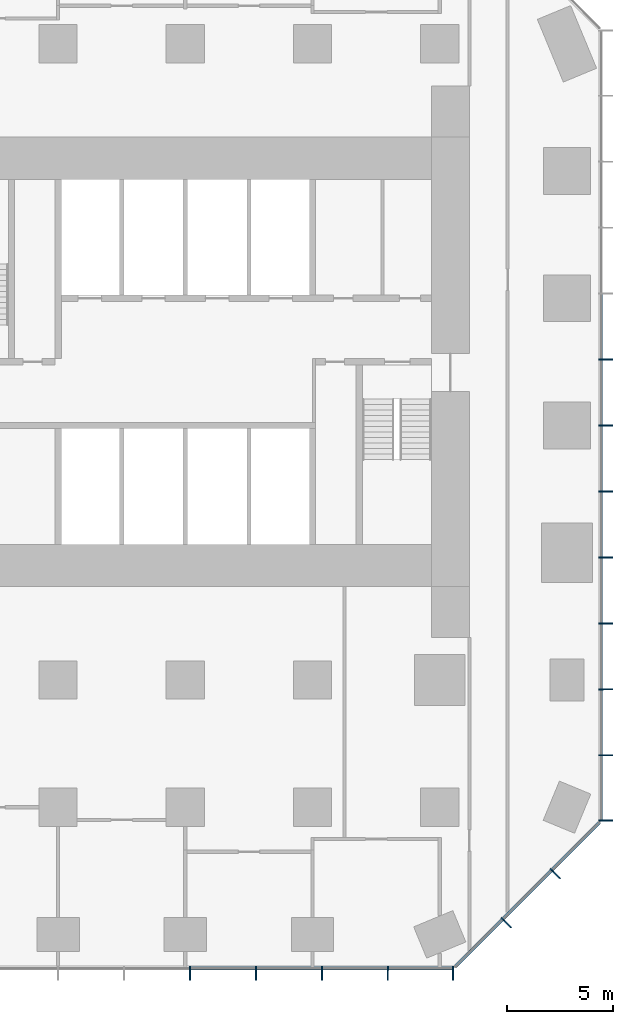
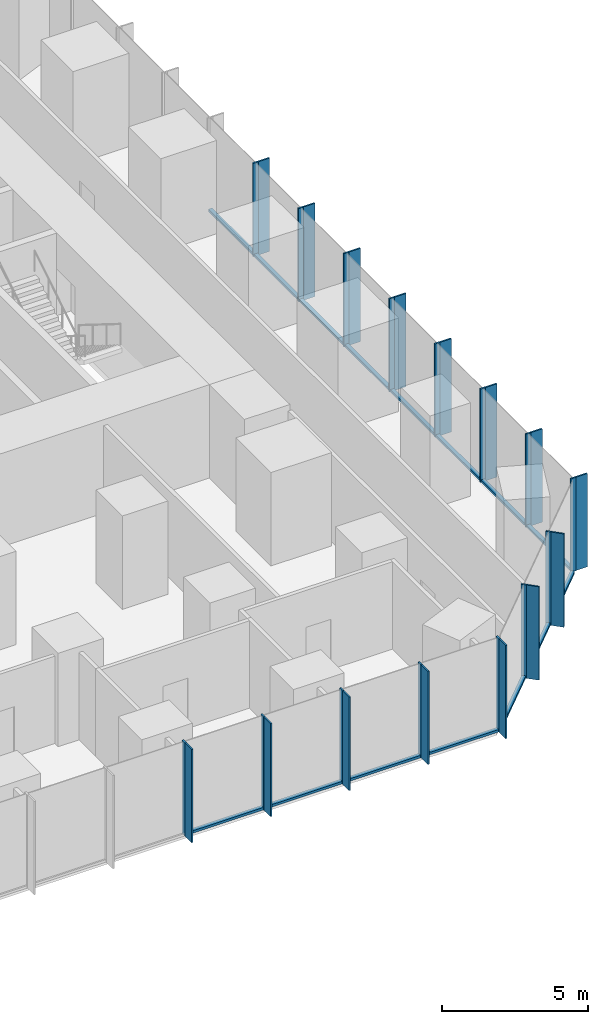
# One storey, part 4 of 11: 45 members, 3 elements without a shape of their own.
"""IFC4 building model written with IfcOpenShell, lengths in metres."""

from ifc_helpers import new_model, si_unit, direction, frame, origin, origin_2d, place, context, subcontext, project, spatial, rectangle, extrude, material, layer, layer_set, material_profile, profile_set, type_object, element, aggregate, save


model = new_model("IFC4")

# Units and contexts
model_context = context("Model", 3, precision=1e-05, world=origin(), true_north=direction((0.0, 1.0)))
body_context = subcontext(model_context, "Body", "Model", "MODEL_VIEW")
ifc_project = project(units=[si_unit("LENGTHUNIT", "METRE"), si_unit("AREAUNIT", "SQUARE_METRE"), si_unit("VOLUMEUNIT", "CUBIC_METRE"), si_unit("PLANEANGLEUNIT", "RADIAN"), si_unit("MASSUNIT", "GRAM", prefix="KILO")], contexts=[model_context])

# Site, building, storey
site_placement = place(None, origin())
site = spatial("IfcSite", under=ifc_project, at=site_placement, CompositionType="ELEMENT")
building_placement = place(site_placement, origin())
building = spatial("IfcBuilding", under=site, at=building_placement, Name="Highveld Stack Headquarters", CompositionType="ELEMENT")
storey_placement = place(building_placement, frame((0.0, 0.0, 33.800048828125)))
storey = spatial("IfcBuildingStorey", under=building, at=storey_placement, Name="L07", CompositionType="ELEMENT", Elevation=33.800048828125)

# Curtain wall, members
ifc_material_1 = material(Name="Aluminium bronze anodised", Category="aluminium")
ifc_layer_1 = layer(ifc_material_1, 0.199951171875)
ifc_layer_set_1 = layer_set([ifc_layer_1], Name="Aluminium bronze anodised")
curtain_wall_type_1 = type_object("IfcCurtainWallType", Name="CW1 TOWER UNITISED CURTAIN WALL", PredefinedType="NOTDEFINED", material=ifc_layer_set_1)
curtain_wall_1_placement = place(storey_placement, origin())
curtain_wall_1 = element("IfcCurtainWall", 1, at=curtain_wall_1_placement, inside=storey, type_object=curtain_wall_type_1, Name="Curtain wall CW1 L07 S", PredefinedType="NOTDEFINED")
ifc_material_2 = material(Name="Aluminium bronze anodised", Category="aluminium")
ifc_material_profile_1 = material_profile(ifc_material_2, rectangle(XDim=0.449951171875, YDim=0.06005859375, at=origin_2d()), Name="FIN 450x60")
ifc_profile_set_1 = profile_set([ifc_material_profile_1], Name="Aluminium bronze anodised")
member_type_1 = type_object("IfcMemberType", Name="CW1 BRONZE FIN 450x60", PredefinedType="USERDEFINED", material=ifc_profile_set_1)
member_1_placement = place(storey_placement, frame((6.220947265625, -25.925048828125, 0.0), z_axis=(0.0, 0.0, 1.0), x_axis=(0.0, 1.0, 0.0)))
member_1 = element("IfcMember", 2, at=member_1_placement, type_object=member_type_1, Name="CW1 fin L07 9", ObjectType="FIN", PredefinedType="USERDEFINED", context=body_context, shape_type="SweptSolid", body=[
    extrude(rectangle(XDim=0.449951171875, YDim=0.06005859375, at=origin_2d()), origin(), (0.0, 0.0, 1.0), 3.89990234375),
])
member_2_placement = place(storey_placement, frame((9.331298828125, -25.925048828125, 0.0), z_axis=(0.0, 0.0, 1.0), x_axis=(0.0, 1.0, 0.0)))
member_2 = element("IfcMember", 3, at=member_2_placement, type_object=member_type_1, Name="CW1 fin L07 10", ObjectType="FIN", PredefinedType="USERDEFINED", context=body_context, shape_type="SweptSolid", body=[
    extrude(rectangle(XDim=0.449951171875, YDim=0.06005859375, at=origin_2d()), origin(), (0.0, 0.0, 1.0), 3.89990234375),
])
member_3_placement = place(storey_placement, frame((12.44189453125, -25.925048828125, 0.0), z_axis=(0.0, 0.0, 1.0), x_axis=(0.0, 1.0, 0.0)))
member_3 = element("IfcMember", 4, at=member_3_placement, type_object=member_type_1, Name="CW1 fin L07 11", ObjectType="FIN", PredefinedType="USERDEFINED", context=body_context, shape_type="SweptSolid", body=[
    extrude(rectangle(XDim=0.449951171875, YDim=0.06005859375, at=origin_2d()), origin(), (0.0, 0.0, 1.0), 3.89990234375),
])
member_4_placement = place(storey_placement, frame((15.55224609375, -25.925048828125, 0.0), z_axis=(0.0, 0.0, 1.0), x_axis=(0.0, 1.0, 0.0)))
member_4 = element("IfcMember", 5, at=member_4_placement, type_object=member_type_1, Name="CW1 fin L07 12", ObjectType="FIN", PredefinedType="USERDEFINED", context=body_context, shape_type="SweptSolid", body=[
    extrude(rectangle(XDim=0.449951171875, YDim=0.06005859375, at=origin_2d()), origin(), (0.0, 0.0, 1.0), 3.89990234375),
])
member_5_placement = place(storey_placement, frame((18.630126953125, -25.925048828125, 0.0), z_axis=(0.0, 0.0, 1.0), x_axis=(0.0, 1.0, 0.0)))
member_5 = element("IfcMember", 6, at=member_5_placement, type_object=member_type_1, Name="CW1 fin L07 13", ObjectType="FIN", PredefinedType="USERDEFINED", context=body_context, shape_type="SweptSolid", body=[
    extrude(rectangle(XDim=0.449951171875, YDim=0.06005859375, at=origin_2d()), origin(), (0.0, 0.0, 1.0), 3.89990234375),
])

curtain_wall_2_placement = place(storey_placement, origin())
curtain_wall_2 = element("IfcCurtainWall", 7, at=curtain_wall_2_placement, inside=storey, type_object=curtain_wall_type_1, Name="Curtain wall CW1 L07 E", PredefinedType="NOTDEFINED")
member_6_placement = place(storey_placement, frame((25.925048828125, -18.630126953125, 0.0), z_axis=(0.0, 0.0, 1.0), x_axis=(-1.0, 0.0, 0.0)))
member_6 = element("IfcMember", 8, at=member_6_placement, type_object=member_type_1, Name="CW1 fin L07 1", ObjectType="FIN", PredefinedType="USERDEFINED", context=body_context, shape_type="SweptSolid", body=[
    extrude(rectangle(XDim=0.449951171875, YDim=0.06005859375, at=origin_2d()), origin(), (0.0, 0.0, 1.0), 3.89990234375),
])
member_7_placement = place(storey_placement, frame((25.925048828125, -15.55224609375, 0.0), z_axis=(0.0, 0.0, 1.0), x_axis=(-1.0, 0.0, 0.0)))
member_7 = element("IfcMember", 9, at=member_7_placement, type_object=member_type_1, Name="CW1 fin L07 2", ObjectType="FIN", PredefinedType="USERDEFINED", context=body_context, shape_type="SweptSolid", body=[
    extrude(rectangle(XDim=0.449951171875, YDim=0.06005859375, at=origin_2d()), origin(), (0.0, 0.0, 1.0), 3.89990234375),
])
member_8_placement = place(storey_placement, frame((25.925048828125, -12.44189453125, 0.0), z_axis=(0.0, 0.0, 1.0), x_axis=(-1.0, 0.0, 0.0)))
member_8 = element("IfcMember", 10, at=member_8_placement, type_object=member_type_1, Name="CW1 fin L07 3", ObjectType="FIN", PredefinedType="USERDEFINED", context=body_context, shape_type="SweptSolid", body=[
    extrude(rectangle(XDim=0.449951171875, YDim=0.06005859375, at=origin_2d()), origin(), (0.0, 0.0, 1.0), 3.89990234375),
])
member_9_placement = place(storey_placement, frame((25.925048828125, -9.331298828125, 0.0), z_axis=(0.0, 0.0, 1.0), x_axis=(-1.0, 0.0, 0.0)))
member_9 = element("IfcMember", 11, at=member_9_placement, type_object=member_type_1, Name="CW1 fin L07 4", ObjectType="FIN", PredefinedType="USERDEFINED", context=body_context, shape_type="SweptSolid", body=[
    extrude(rectangle(XDim=0.449951171875, YDim=0.06005859375, at=origin_2d()), origin(), (0.0, 0.0, 1.0), 3.89990234375),
])
member_10_placement = place(storey_placement, frame((25.925048828125, -6.220947265625, 0.0), z_axis=(0.0, 0.0, 1.0), x_axis=(-1.0, 0.0, 0.0)))
member_10 = element("IfcMember", 12, at=member_10_placement, type_object=member_type_1, Name="CW1 fin L07 5", ObjectType="FIN", PredefinedType="USERDEFINED", context=body_context, shape_type="SweptSolid", body=[
    extrude(rectangle(XDim=0.449951171875, YDim=0.06005859375, at=origin_2d()), origin(), (0.0, 0.0, 1.0), 3.89990234375),
])
member_11_placement = place(storey_placement, frame((25.925048828125, -3.110595703125, 0.0), z_axis=(0.0, 0.0, 1.0), x_axis=(-1.0, 0.0, 0.0)))
member_11 = element("IfcMember", 13, at=member_11_placement, type_object=member_type_1, Name="CW1 fin L07 6", ObjectType="FIN", PredefinedType="USERDEFINED", context=body_context, shape_type="SweptSolid", body=[
    extrude(rectangle(XDim=0.449951171875, YDim=0.06005859375, at=origin_2d()), origin(), (0.0, 0.0, 1.0), 3.89990234375),
])
member_12_placement = place(storey_placement, frame((25.925048828125, 0.0, 0.0), z_axis=(0.0, 0.0, 1.0), x_axis=(-1.0, 0.0, 0.0)))
member_12 = element("IfcMember", 14, at=member_12_placement, type_object=member_type_1, Name="CW1 fin L07 7", ObjectType="FIN", PredefinedType="USERDEFINED", context=body_context, shape_type="SweptSolid", body=[
    extrude(rectangle(XDim=0.449951171875, YDim=0.06005859375, at=origin_2d()), origin(), (0.0, 0.0, 1.0), 3.89990234375),
])
member_13_placement = place(storey_placement, frame((25.925048828125, 3.110595703125, 0.0), z_axis=(0.0, 0.0, 1.0), x_axis=(-1.0, 0.0, 0.0)))
member_13 = element("IfcMember", 15, at=member_13_placement, type_object=member_type_1, Name="CW1 fin L07 8", ObjectType="FIN", PredefinedType="USERDEFINED", context=body_context, shape_type="SweptSolid", body=[
    extrude(rectangle(XDim=0.449951171875, YDim=0.06005859375, at=origin_2d()), origin(), (0.0, 0.0, 1.0), 3.89990234375),
])

# Member
ifc_material_3 = material(Name="Aluminium bronze anodised", Category="aluminium")
ifc_material_profile_2 = material_profile(ifc_material_3, rectangle(XDim=0.199951171875, YDim=0.06494140625, at=origin_2d()), Name="CW1 MULLION 65x200")
ifc_profile_set_2 = profile_set([ifc_material_profile_2], Name="Aluminium bronze anodised")
member_type_2 = type_object("IfcMemberType", Name="CW1 MULLION 65x200", PredefinedType="MULLION", material=ifc_profile_set_2)
member_14_placement = place(storey_placement, frame((6.220947265625, -25.60009765625, 0.0), z_axis=(0.0, 0.0, 1.0), x_axis=(0.0, 1.0, 0.0)))
member_14 = element("IfcMember", 16, at=member_14_placement, type_object=member_type_2, Name="CW1 mullion L07 9", PredefinedType="MULLION", context=body_context, shape_type="SweptSolid", body=[
    extrude(rectangle(XDim=0.199951171875, YDim=0.06494140625, at=origin_2d()), origin(), (0.0, 0.0, 1.0), 3.89990234375),
])

member_15_placement = place(storey_placement, frame((9.331298828125, -25.60009765625, 0.0), z_axis=(0.0, 0.0, 1.0), x_axis=(0.0, 1.0, 0.0)))
member_15 = element("IfcMember", 17, at=member_15_placement, type_object=member_type_2, Name="CW1 mullion L07 10", PredefinedType="MULLION", context=body_context, shape_type="SweptSolid", body=[
    extrude(rectangle(XDim=0.199951171875, YDim=0.06494140625, at=origin_2d()), origin(), (0.0, 0.0, 1.0), 3.89990234375),
])

member_16_placement = place(storey_placement, frame((12.44189453125, -25.60009765625, 0.0), z_axis=(0.0, 0.0, 1.0), x_axis=(0.0, 1.0, 0.0)))
member_16 = element("IfcMember", 18, at=member_16_placement, type_object=member_type_2, Name="CW1 mullion L07 11", PredefinedType="MULLION", context=body_context, shape_type="SweptSolid", body=[
    extrude(rectangle(XDim=0.199951171875, YDim=0.06494140625, at=origin_2d()), origin(), (0.0, 0.0, 1.0), 3.89990234375),
])

member_17_placement = place(storey_placement, frame((15.55224609375, -25.60009765625, 0.0), z_axis=(0.0, 0.0, 1.0), x_axis=(0.0, 1.0, 0.0)))
member_17 = element("IfcMember", 19, at=member_17_placement, type_object=member_type_2, Name="CW1 mullion L07 12", PredefinedType="MULLION", context=body_context, shape_type="SweptSolid", body=[
    extrude(rectangle(XDim=0.199951171875, YDim=0.06494140625, at=origin_2d()), origin(), (0.0, 0.0, 1.0), 3.89990234375),
])

member_18_placement = place(storey_placement, frame((18.630126953125, -25.60009765625, 0.0), z_axis=(0.0, 0.0, 1.0), x_axis=(0.0, 1.0, 0.0)))
member_18 = element("IfcMember", 20, at=member_18_placement, type_object=member_type_2, Name="CW1 mullion L07 13", PredefinedType="MULLION", context=body_context, shape_type="SweptSolid", body=[
    extrude(rectangle(XDim=0.199951171875, YDim=0.06494140625, at=origin_2d()), origin(), (0.0, 0.0, 1.0), 3.89990234375),
])

member_19_placement = place(storey_placement, frame((25.60009765625, -18.630126953125, 0.0), z_axis=(0.0, 0.0, 1.0), x_axis=(-1.0, 0.0, 0.0)))
member_19 = element("IfcMember", 21, at=member_19_placement, type_object=member_type_2, Name="CW1 mullion L07 1", PredefinedType="MULLION", context=body_context, shape_type="SweptSolid", body=[
    extrude(rectangle(XDim=0.199951171875, YDim=0.06494140625, at=origin_2d()), origin(), (0.0, 0.0, 1.0), 3.89990234375),
])

member_20_placement = place(storey_placement, frame((25.60009765625, -15.55224609375, 0.0), z_axis=(0.0, 0.0, 1.0), x_axis=(-1.0, 0.0, 0.0)))
member_20 = element("IfcMember", 22, at=member_20_placement, type_object=member_type_2, Name="CW1 mullion L07 2", PredefinedType="MULLION", context=body_context, shape_type="SweptSolid", body=[
    extrude(rectangle(XDim=0.199951171875, YDim=0.06494140625, at=origin_2d()), origin(), (0.0, 0.0, 1.0), 3.89990234375),
])

member_21_placement = place(storey_placement, frame((25.60009765625, -12.44189453125, 0.0), z_axis=(0.0, 0.0, 1.0), x_axis=(-1.0, 0.0, 0.0)))
member_21 = element("IfcMember", 23, at=member_21_placement, type_object=member_type_2, Name="CW1 mullion L07 3", PredefinedType="MULLION", context=body_context, shape_type="SweptSolid", body=[
    extrude(rectangle(XDim=0.199951171875, YDim=0.06494140625, at=origin_2d()), origin(), (0.0, 0.0, 1.0), 3.89990234375),
])

member_22_placement = place(storey_placement, frame((25.60009765625, -9.331298828125, 0.0), z_axis=(0.0, 0.0, 1.0), x_axis=(-1.0, 0.0, 0.0)))
member_22 = element("IfcMember", 24, at=member_22_placement, type_object=member_type_2, Name="CW1 mullion L07 4", PredefinedType="MULLION", context=body_context, shape_type="SweptSolid", body=[
    extrude(rectangle(XDim=0.199951171875, YDim=0.06494140625, at=origin_2d()), origin(), (0.0, 0.0, 1.0), 3.89990234375),
])

member_23_placement = place(storey_placement, frame((25.60009765625, -6.220947265625, 0.0), z_axis=(0.0, 0.0, 1.0), x_axis=(-1.0, 0.0, 0.0)))
member_23 = element("IfcMember", 25, at=member_23_placement, type_object=member_type_2, Name="CW1 mullion L07 5", PredefinedType="MULLION", context=body_context, shape_type="SweptSolid", body=[
    extrude(rectangle(XDim=0.199951171875, YDim=0.06494140625, at=origin_2d()), origin(), (0.0, 0.0, 1.0), 3.89990234375),
])

member_24_placement = place(storey_placement, frame((25.60009765625, -3.110595703125, 0.0), z_axis=(0.0, 0.0, 1.0), x_axis=(-1.0, 0.0, 0.0)))
member_24 = element("IfcMember", 26, at=member_24_placement, type_object=member_type_2, Name="CW1 mullion L07 6", PredefinedType="MULLION", context=body_context, shape_type="SweptSolid", body=[
    extrude(rectangle(XDim=0.199951171875, YDim=0.06494140625, at=origin_2d()), origin(), (0.0, 0.0, 1.0), 3.89990234375),
])

member_25_placement = place(storey_placement, frame((25.60009765625, 0.0, 0.0), z_axis=(0.0, 0.0, 1.0), x_axis=(-1.0, 0.0, 0.0)))
member_25 = element("IfcMember", 27, at=member_25_placement, type_object=member_type_2, Name="CW1 mullion L07 7", PredefinedType="MULLION", context=body_context, shape_type="SweptSolid", body=[
    extrude(rectangle(XDim=0.199951171875, YDim=0.06494140625, at=origin_2d()), origin(), (0.0, 0.0, 1.0), 3.89990234375),
])

member_26_placement = place(storey_placement, frame((25.60009765625, 3.110595703125, 0.0), z_axis=(0.0, 0.0, 1.0), x_axis=(-1.0, 0.0, 0.0)))
member_26 = element("IfcMember", 28, at=member_26_placement, type_object=member_type_2, Name="CW1 mullion L07 8", PredefinedType="MULLION", context=body_context, shape_type="SweptSolid", body=[
    extrude(rectangle(XDim=0.199951171875, YDim=0.06494140625, at=origin_2d()), origin(), (0.0, 0.0, 1.0), 3.89990234375),
])

ifc_material_4 = material(Name="Aluminium bronze anodised", Category="aluminium")
ifc_material_profile_3 = material_profile(ifc_material_4, rectangle(XDim=0.14990234375, YDim=0.10009765625, at=origin_2d()), Name="CW1 TRANSOM 150x100")
ifc_profile_set_3 = profile_set([ifc_material_profile_3], Name="Aluminium bronze anodised")
member_type_3 = type_object("IfcMemberType", Name="CW1 STACK TRANSOM 150x100", PredefinedType="USERDEFINED", material=ifc_profile_set_3)
member_27_placement = place(storey_placement, frame((6.25341796875, -25.60009765625, 0.050048828125), z_axis=(1.0, 0.0, 0.0), x_axis=(0.0, 1.0, 0.0)))
member_27 = element("IfcMember", 29, at=member_27_placement, type_object=member_type_3, Name="CW1 transom L07 9.1", ObjectType="TRANSOM", PredefinedType="USERDEFINED", context=body_context, shape_type="SweptSolid", body=[
    extrude(rectangle(XDim=0.14990234375, YDim=0.10009765625, at=origin_2d()), origin(), (0.0, 0.0, 1.0), 3.04541015625),
])

member_28_placement = place(storey_placement, frame((9.36376953125, -25.60009765625, 0.050048828125), z_axis=(1.0, 0.0, 0.0), x_axis=(0.0, 1.0, 0.0)))
member_28 = element("IfcMember", 30, at=member_28_placement, type_object=member_type_3, Name="CW1 transom L07 10.1", ObjectType="TRANSOM", PredefinedType="USERDEFINED", context=body_context, shape_type="SweptSolid", body=[
    extrude(rectangle(XDim=0.14990234375, YDim=0.10009765625, at=origin_2d()), origin(), (0.0, 0.0, 1.0), 3.04541015625),
])

member_29_placement = place(storey_placement, frame((12.474365234375, -25.60009765625, 0.050048828125), z_axis=(1.0, 0.0, 0.0), x_axis=(0.0, 1.0, 0.0)))
member_29 = element("IfcMember", 31, at=member_29_placement, type_object=member_type_3, Name="CW1 transom L07 11.1", ObjectType="TRANSOM", PredefinedType="USERDEFINED", context=body_context, shape_type="SweptSolid", body=[
    extrude(rectangle(XDim=0.14990234375, YDim=0.10009765625, at=origin_2d()), origin(), (0.0, 0.0, 1.0), 3.04541015625),
])

member_30_placement = place(storey_placement, frame((15.584716796875, -25.60009765625, 0.050048828125), z_axis=(1.0, 0.0, 0.0), x_axis=(0.0, 1.0, 0.0)))
member_30 = element("IfcMember", 32, at=member_30_placement, type_object=member_type_3, Name="CW1 transom L07 12.1", ObjectType="TRANSOM", PredefinedType="USERDEFINED", context=body_context, shape_type="SweptSolid", body=[
    extrude(rectangle(XDim=0.14990234375, YDim=0.10009765625, at=origin_2d()), origin(), (0.0, 0.0, 1.0), 3.012939453125),
])

aggregate(curtain_wall_1, [member_14, member_1, member_15, member_2, member_16, member_3, member_17, member_4, member_18, member_5, member_27, member_28, member_29, member_30])

member_31_placement = place(storey_placement, frame((25.60009765625, -18.59765625, 0.050048828125), z_axis=(0.0, 1.0, 0.0), x_axis=(-1.0, 0.0, 0.0)))
member_31 = element("IfcMember", 33, at=member_31_placement, type_object=member_type_3, Name="CW1 transom L07 1.1", ObjectType="TRANSOM", PredefinedType="USERDEFINED", context=body_context, shape_type="SweptSolid", body=[
    extrude(rectangle(XDim=0.14990234375, YDim=0.10009765625, at=origin_2d()), origin(), (0.0, 0.0, 1.0), 3.012939453125),
])

member_32_placement = place(storey_placement, frame((25.60009765625, -15.519775390625, 0.050048828125), z_axis=(0.0, 1.0, 0.0), x_axis=(-1.0, 0.0, 0.0)))
member_32 = element("IfcMember", 34, at=member_32_placement, type_object=member_type_3, Name="CW1 transom L07 2.1", ObjectType="TRANSOM", PredefinedType="USERDEFINED", context=body_context, shape_type="SweptSolid", body=[
    extrude(rectangle(XDim=0.14990234375, YDim=0.10009765625, at=origin_2d()), origin(), (0.0, 0.0, 1.0), 3.04541015625),
])

member_33_placement = place(storey_placement, frame((25.60009765625, -12.4091796875, 0.050048828125), z_axis=(0.0, 1.0, 0.0), x_axis=(-1.0, 0.0, 0.0)))
member_33 = element("IfcMember", 35, at=member_33_placement, type_object=member_type_3, Name="CW1 transom L07 3.1", ObjectType="TRANSOM", PredefinedType="USERDEFINED", context=body_context, shape_type="SweptSolid", body=[
    extrude(rectangle(XDim=0.14990234375, YDim=0.10009765625, at=origin_2d()), origin(), (0.0, 0.0, 1.0), 3.045166015625),
])

member_34_placement = place(storey_placement, frame((25.60009765625, -9.298828125, 0.050048828125), z_axis=(0.0, 1.0, 0.0), x_axis=(-1.0, 0.0, 0.0)))
member_34 = element("IfcMember", 36, at=member_34_placement, type_object=member_type_3, Name="CW1 transom L07 4.1", ObjectType="TRANSOM", PredefinedType="USERDEFINED", context=body_context, shape_type="SweptSolid", body=[
    extrude(rectangle(XDim=0.14990234375, YDim=0.10009765625, at=origin_2d()), origin(), (0.0, 0.0, 1.0), 3.04541015625),
])

member_35_placement = place(storey_placement, frame((25.60009765625, -6.1884765625, 0.050048828125), z_axis=(0.0, 1.0, 0.0), x_axis=(-1.0, 0.0, 0.0)))
member_35 = element("IfcMember", 37, at=member_35_placement, type_object=member_type_3, Name="CW1 transom L07 5.1", ObjectType="TRANSOM", PredefinedType="USERDEFINED", context=body_context, shape_type="SweptSolid", body=[
    extrude(rectangle(XDim=0.14990234375, YDim=0.10009765625, at=origin_2d()), origin(), (0.0, 0.0, 1.0), 3.04541015625),
])

member_36_placement = place(storey_placement, frame((25.60009765625, -3.077880859375, 0.050048828125), z_axis=(0.0, 1.0, 0.0), x_axis=(-1.0, 0.0, 0.0)))
member_36 = element("IfcMember", 38, at=member_36_placement, type_object=member_type_3, Name="CW1 transom L07 6.1", ObjectType="TRANSOM", PredefinedType="USERDEFINED", context=body_context, shape_type="SweptSolid", body=[
    extrude(rectangle(XDim=0.14990234375, YDim=0.10009765625, at=origin_2d()), origin(), (0.0, 0.0, 1.0), 3.04541015625),
])

member_37_placement = place(storey_placement, frame((25.60009765625, 0.032470703125, 0.050048828125), z_axis=(0.0, 1.0, 0.0), x_axis=(-1.0, 0.0, 0.0)))
member_37 = element("IfcMember", 39, at=member_37_placement, type_object=member_type_3, Name="CW1 transom L07 7.1", ObjectType="TRANSOM", PredefinedType="USERDEFINED", context=body_context, shape_type="SweptSolid", body=[
    extrude(rectangle(XDim=0.14990234375, YDim=0.10009765625, at=origin_2d()), origin(), (0.0, 0.0, 1.0), 3.04541015625),
])

member_38_placement = place(storey_placement, frame((25.60009765625, 3.142822265625, 0.050048828125), z_axis=(0.0, 1.0, 0.0), x_axis=(-1.0, 0.0, 0.0)))
member_38 = element("IfcMember", 40, at=member_38_placement, type_object=member_type_3, Name="CW1 transom L07 8.1", ObjectType="TRANSOM", PredefinedType="USERDEFINED", context=body_context, shape_type="SweptSolid", body=[
    extrude(rectangle(XDim=0.14990234375, YDim=0.10009765625, at=origin_2d()), origin(), (0.0, 0.0, 1.0), 3.045654296875),
])

aggregate(curtain_wall_2, [member_19, member_6, member_20, member_7, member_21, member_8, member_22, member_9, member_23, member_10, member_24, member_11, member_25, member_12, member_26, member_13, member_31, member_32, member_33, member_34, member_35, member_36, member_37, member_38])

# Curtain wall, members
ifc_material_5 = material(Name="Aluminium bronze anodised", Category="aluminium")
ifc_layer_2 = layer(ifc_material_5, 0.199951171875)
ifc_layer_set_2 = layer_set([ifc_layer_2], Name="Aluminium bronze anodised")
curtain_wall_type_2 = type_object("IfcCurtainWallType", Name="CW2 TOWER CHAMFER UNITISED CURTAIN WALL", PredefinedType="NOTDEFINED", material=ifc_layer_set_2)
curtain_wall_3_placement = place(storey_placement, origin())
curtain_wall_3 = element("IfcCurtainWall", 41, at=curtain_wall_3_placement, inside=storey, type_object=curtain_wall_type_2, Name="Curtain wall CW2 L07 SE", PredefinedType="NOTDEFINED")
ifc_material_6 = material(Name="Aluminium bronze anodised", Category="aluminium")
ifc_material_profile_4 = material_profile(ifc_material_6, rectangle(XDim=0.449951171875, YDim=0.06005859375, at=origin_2d()), Name="FIN 450x60")
ifc_profile_set_4 = profile_set([ifc_material_profile_4], Name="Aluminium bronze anodised")
member_type_4 = type_object("IfcMemberType", Name="CW2 BRONZE FIN 450x60", PredefinedType="USERDEFINED", material=ifc_profile_set_4)
member_39_placement = place(storey_placement, frame((21.204833984375, -23.517333984375, 0.0), z_axis=(0.0, 0.0, 1.0), x_axis=(-0.707106781187, 0.707106781187, 0.0)))
member_39 = element("IfcMember", 42, at=member_39_placement, type_object=member_type_4, Name="CW2 fin L07 1", ObjectType="FIN", PredefinedType="USERDEFINED", context=body_context, shape_type="SweptSolid", body=[
    extrude(rectangle(XDim=0.449951171875, YDim=0.06005859375, at=origin_2d()), origin(), (0.0, 0.0, 1.0), 3.89990234375),
])
member_40_placement = place(storey_placement, frame((23.517333984375, -21.204833984375, 0.0), z_axis=(0.0, 0.0, 1.0), x_axis=(-0.707106781187, 0.707106781187, 0.0)))
member_40 = element("IfcMember", 43, at=member_40_placement, type_object=member_type_4, Name="CW2 fin L07 2", ObjectType="FIN", PredefinedType="USERDEFINED", context=body_context, shape_type="SweptSolid", body=[
    extrude(rectangle(XDim=0.449951171875, YDim=0.06005859375, at=origin_2d()), origin(), (0.0, 0.0, 1.0), 3.89990234375),
])
ifc_material_7 = material(Name="Aluminium bronze anodised", Category="aluminium")
ifc_material_profile_5 = material_profile(ifc_material_7, rectangle(XDim=0.199951171875, YDim=0.06494140625, at=origin_2d()), Name="CW2 MULLION 65x200")
ifc_profile_set_5 = profile_set([ifc_material_profile_5], Name="Aluminium bronze anodised")
member_type_5 = type_object("IfcMemberType", Name="CW2 MULLION 65x200", PredefinedType="MULLION", material=ifc_profile_set_5)
member_41_placement = place(storey_placement, frame((20.97509765625, -23.28759765625, 0.0), z_axis=(0.0, 0.0, 1.0), x_axis=(-0.707106781187, 0.707106781187, 0.0)))
member_41 = element("IfcMember", 44, at=member_41_placement, type_object=member_type_5, Name="CW2 mullion L07 1", PredefinedType="MULLION", context=body_context, shape_type="SweptSolid", body=[
    extrude(rectangle(XDim=0.199951171875, YDim=0.06494140625, at=origin_2d()), origin(), (0.0, 0.0, 1.0), 3.89990234375),
])
member_42_placement = place(storey_placement, frame((23.28759765625, -20.97509765625, 0.0), z_axis=(0.0, 0.0, 1.0), x_axis=(-0.707106781187, 0.707106781187, 0.0)))
member_42 = element("IfcMember", 45, at=member_42_placement, type_object=member_type_5, Name="CW2 mullion L07 2", PredefinedType="MULLION", context=body_context, shape_type="SweptSolid", body=[
    extrude(rectangle(XDim=0.199951171875, YDim=0.06494140625, at=origin_2d()), origin(), (0.0, 0.0, 1.0), 3.89990234375),
])
ifc_material_8 = material(Name="Aluminium bronze anodised", Category="aluminium")
ifc_material_profile_6 = material_profile(ifc_material_8, rectangle(XDim=0.14990234375, YDim=0.10009765625, at=origin_2d()), Name="CW2 TRANSOM 150x100")
ifc_profile_set_6 = profile_set([ifc_material_profile_6], Name="Aluminium bronze anodised")
member_type_6 = type_object("IfcMemberType", Name="CW2 STACK TRANSOM 150x100", PredefinedType="USERDEFINED", material=ifc_profile_set_6)
member_43_placement = place(storey_placement, frame((18.7333984375, -25.529296875, 0.050048828125), z_axis=(0.707106781187, 0.707106781187, 0.0), x_axis=(-0.707106781187, 0.707106781187, 0.0)))
member_43 = element("IfcMember", 46, at=member_43_placement, type_object=member_type_6, Name="CW2 transom L07 1.1", ObjectType="TRANSOM", PredefinedType="USERDEFINED", context=body_context, shape_type="SweptSolid", body=[
    extrude(rectangle(XDim=0.14990234375, YDim=0.10009765625, at=origin_2d()), origin(), (0.0, 0.0, 1.0), 3.1376953125),
])
member_44_placement = place(storey_placement, frame((20.998046875, -23.2646484375, 0.050048828125), z_axis=(0.707106781187, 0.707106781187, 0.0), x_axis=(-0.707106781187, 0.707106781187, 0.0)))
member_44 = element("IfcMember", 47, at=member_44_placement, type_object=member_type_6, Name="CW2 transom L07 2.1", ObjectType="TRANSOM", PredefinedType="USERDEFINED", context=body_context, shape_type="SweptSolid", body=[
    extrude(rectangle(XDim=0.14990234375, YDim=0.10009765625, at=origin_2d()), origin(), (0.0, 0.0, 1.0), 3.20556640625),
])
member_45_placement = place(storey_placement, frame((23.310546875, -20.9521484375, 0.050048828125), z_axis=(0.707106781187, 0.707106781187, 0.0), x_axis=(-0.707106781187, 0.707106781187, 0.0)))
member_45 = element("IfcMember", 48, at=member_45_placement, type_object=member_type_6, Name="CW2 transom L07 3.1", ObjectType="TRANSOM", PredefinedType="USERDEFINED", context=body_context, shape_type="SweptSolid", body=[
    extrude(rectangle(XDim=0.14990234375, YDim=0.10009765625, at=origin_2d()), origin(), (0.0, 0.0, 1.0), 3.1376953125),
])
aggregate(curtain_wall_3, [member_41, member_39, member_42, member_40, member_43, member_44, member_45])

save(model, "model.ifc")
